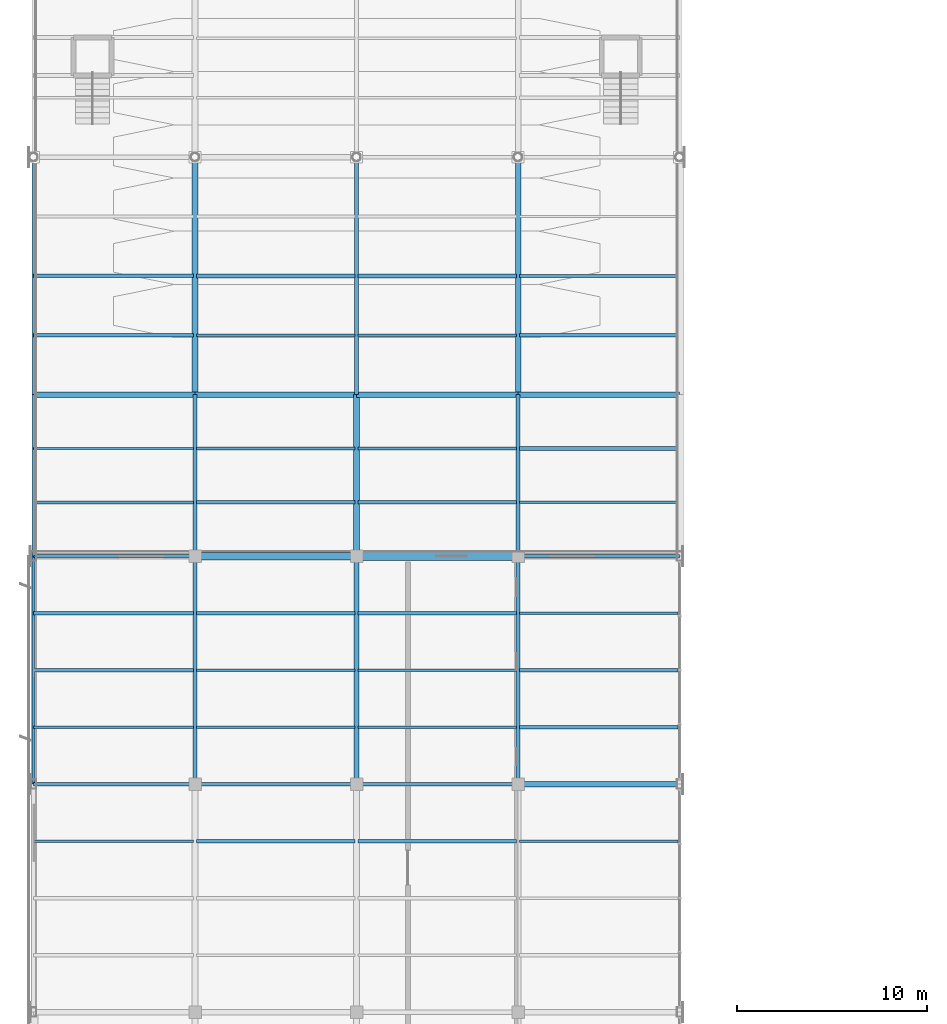
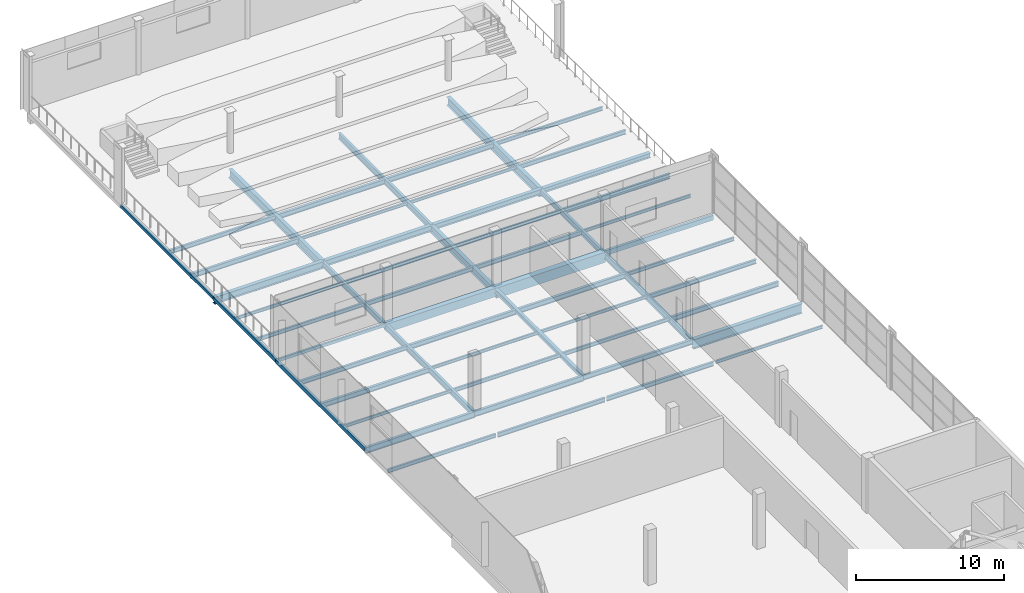
# One storey, part 48 of 86: 56 beams.
"""IFC4 building model written with IfcOpenShell, lengths in metres."""

from ifc_helpers import new_model, si_unit, direction, frame, origin, origin_2d, place, context, subcontext, project, spatial, rectangle, hollow_rectangle, i_section, extrude, material, material_profile, profile_set, type_object, element, save


model = new_model("IFC4")

# Units and contexts
model_context = context("Model", 3, precision=1e-05, world=origin(), true_north=direction((0.0, 1.0)))
body_context = subcontext(model_context, "Body", "Model", "MODEL_VIEW")
ifc_project = project(units=[si_unit("LENGTHUNIT", "METRE"), si_unit("AREAUNIT", "SQUARE_METRE"), si_unit("VOLUMEUNIT", "CUBIC_METRE"), si_unit("PLANEANGLEUNIT", "RADIAN"), si_unit("MASSUNIT", "GRAM", prefix="KILO")], contexts=[model_context])

# Site, building, storey
site_placement = place(None, origin())
site = spatial("IfcSite", under=ifc_project, at=site_placement, CompositionType="ELEMENT")
building_placement = place(site_placement, origin())
building = spatial("IfcBuilding", under=site, at=building_placement, Name="Solvikara Media Centre", CompositionType="ELEMENT")
storey_placement = place(building_placement, frame((0.0, 0.0, 15.0)))
storey = spatial("IfcBuildingStorey", under=building, at=storey_placement, Name="L03", CompositionType="ELEMENT", Elevation=15.0)

# Beams
ifc_material_1 = material(Name="Concrete fc' 35 MPa (C35/45)", Category="concrete")
ifc_material_profile_1 = material_profile(ifc_material_1, rectangle(XDim=0.39990234375, YDim=0.699951171875, at=origin_2d()), Name="RC 400x700")
ifc_profile_set_1 = profile_set([ifc_material_profile_1], Name="Concrete fc' 35 MPa (C35/45)")
beam_type_1 = type_object("IfcBeamType", Name="BM-13", PredefinedType="SPANDREL", material=ifc_profile_set_1)
beam_1_placement = place(storey_placement, frame((8.5, 80.5, -0.610107421875), z_axis=(1.0, 0.0, 0.0), x_axis=(0.0, 1.0, 0.0)))
element("IfcBeam", 1, at=beam_1_placement, inside=storey, type_object=beam_type_1, Name="B-L03-X1207", PredefinedType="SPANDREL", context=body_context, shape_type="SweptSolid", body=[
    extrude(rectangle(XDim=0.39990234375, YDim=0.699951171875, at=origin_2d()), origin(), (0.0, 0.0, 1.0), 8.5),
])
ifc_material_profile_2 = material_profile(ifc_material_1, rectangle(XDim=0.449951171875, YDim=0.85009765625, at=origin_2d()), Name="RC 450x850")
ifc_profile_set_2 = profile_set([ifc_material_profile_2], Name="Concrete fc' 35 MPa (C35/45)")
beam_type_2 = type_object("IfcBeamType", Name="BM-14", PredefinedType="SPANDREL", material=ifc_profile_set_2)
beam_2_placement = place(storey_placement, frame((17.0, 80.5, -0.68505859375), z_axis=(1.0, 0.0, 0.0), x_axis=(0.0, 1.0, 0.0)))
element("IfcBeam", 2, at=beam_2_placement, inside=storey, type_object=beam_type_2, Name="B-L03-X1208", PredefinedType="SPANDREL", context=body_context, shape_type="SweptSolid", body=[
    extrude(rectangle(XDim=0.449951171875, YDim=0.85009765625, at=origin_2d()), origin(), (0.0, 0.0, 1.0), 8.5),
])
ifc_material_2 = material(Name="Steel S355JR", Category="steel")
ifc_material_profile_3 = material_profile(ifc_material_2, i_section(OverallWidth=0.300048828125, OverallDepth=0.800048828125, WebThickness=0.013916015625, FlangeThickness=0.02587890625, at=origin_2d()), Name="WF 800x300x14x26")
ifc_profile_set_3 = profile_set([ifc_material_profile_3], Name="Steel S355JR")
beam_type_3 = type_object("IfcBeamType", Name="BM-16", PredefinedType="BEAM", material=ifc_profile_set_3)
beam_3_placement = place(storey_placement, frame((25.5, 68.5, -0.662109375), z_axis=(1.0, 0.0, 0.0), x_axis=(0.0, 1.0, 0.0)))
element("IfcBeam", 3, at=beam_3_placement, inside=storey, type_object=beam_type_3, Name="B-L03-X1205", PredefinedType="BEAM", context=body_context, shape_type="SweptSolid", body=[
    extrude(i_section(OverallWidth=0.300048828125, OverallDepth=0.800048828125, WebThickness=0.013916015625, FlangeThickness=0.02587890625, at=origin_2d()), origin(), (0.0, 0.0, 1.0), 8.5),
])
ifc_material_profile_4 = material_profile(ifc_material_2, i_section(OverallWidth=0.199951171875, OverallDepth=0.5, WebThickness=0.010009765625, FlangeThickness=0.01611328125, at=origin_2d()), Name="WF 500x200x10x16")
ifc_profile_set_4 = profile_set([ifc_material_profile_4], Name="Steel S355JR")
beam_type_4 = type_object("IfcBeamType", Name="BM-19", PredefinedType="BEAM", material=ifc_profile_set_4)
for number, where, z_axis, x_axis, name in (
    (4, (8.5, 68.5, -0.511962890625), (0.0, 1.0, 0.0), (-1.0, 0.0, 0.0), "B-L03-Y1235"),
    (5, (25.5, 68.5, -0.511962890625), (0.0, 1.0, 0.0), (-1.0, 0.0, 0.0), "B-L03-Y1249"),
):
    element("IfcBeam", number, at=place(storey_placement, frame(where, z_axis=z_axis, x_axis=x_axis)), inside=storey, type_object=beam_type_4, Name=name, PredefinedType="BEAM", context=body_context, shape_type="SweptSolid", body=[
        extrude(i_section(OverallWidth=0.199951171875, OverallDepth=0.5, WebThickness=0.010009765625, FlangeThickness=0.01611328125, at=origin_2d()), origin(), (0.0, 0.0, 1.0), 12.0),
    ])
ifc_material_profile_5 = material_profile(ifc_material_2, i_section(OverallWidth=0.199951171875, OverallDepth=0.449951171875, WebThickness=0.009033203125, FlangeThickness=0.013916015625, at=origin_2d()), Name="WF 450x200x9x14")
ifc_profile_set_5 = profile_set([ifc_material_profile_5], Name="Steel S355JR")
beam_type_5 = type_object("IfcBeamType", Name="BM-20", PredefinedType="BEAM", material=ifc_profile_set_5)
for number, where, z_axis, x_axis, name in (
    (6, (8.5, 80.5, -0.4970703125), (0.0, 1.0, 0.0), (-1.0, 0.0, 0.0), "B-L03-Y1236"),
    (7, (25.5, 80.5, -0.4970703125), (0.0, 1.0, 0.0), (-1.0, 0.0, 0.0), "B-L03-Y1250"),
):
    element("IfcBeam", number, at=place(storey_placement, frame(where, z_axis=z_axis, x_axis=x_axis)), inside=storey, type_object=beam_type_5, Name=name, PredefinedType="BEAM", context=body_context, shape_type="SweptSolid", body=[
        extrude(i_section(OverallWidth=0.199951171875, OverallDepth=0.449951171875, WebThickness=0.009033203125, FlangeThickness=0.013916015625, at=origin_2d()), origin(), (0.0, 0.0, 1.0), 8.5),
    ])
ifc_material_profile_6 = material_profile(ifc_material_2, i_section(OverallWidth=0.199951171875, OverallDepth=0.39990234375, WebThickness=0.008056640625, FlangeThickness=0.012939453125, at=origin_2d()), Name="WF 400x200x8x13")
ifc_profile_set_6 = profile_set([ifc_material_profile_6], Name="Steel S355JR")
beam_type_6 = type_object("IfcBeamType", Name="BM-21", PredefinedType="JOIST", material=ifc_profile_set_6)
beam_4_placement = place(storey_placement, frame((0.0, 74.5, -0.4619140625), z_axis=(1.0, 0.0, 0.0), x_axis=(0.0, 1.0, 0.0)))
element("IfcBeam", 8, at=beam_4_placement, inside=storey, type_object=beam_type_6, Name="J-L03-1313", PredefinedType="JOIST", context=body_context, shape_type="SweptSolid", body=[
    extrude(i_section(OverallWidth=0.199951171875, OverallDepth=0.39990234375, WebThickness=0.008056640625, FlangeThickness=0.012939453125, at=origin_2d()), origin(), (0.0, 0.0, 1.0), 8.422119140625),
])
for number, where, z_axis, x_axis, name in (
    (9, (8.577880859375, 95.25, -0.471923828125), (1.0, 0.0, 0.0), (0.0, 1.0, 0.0), "J-L03-1337"),
    (10, (17.077880859375, 77.5, -0.4619140625), (1.0, 0.0, 0.0), (0.0, 1.0, 0.0), "J-L03-1353"),
    (11, (25.577880859375, 86.1669921875, -0.471923828125), (1.0, 0.0, 0.0), (0.0, 1.0, 0.0), "J-L03-1369"),
):
    element("IfcBeam", number, at=place(storey_placement, frame(where, z_axis=z_axis, x_axis=x_axis)), inside=storey, type_object=beam_type_6, Name=name, PredefinedType="JOIST", context=body_context, shape_type="SweptSolid", body=[
        extrude(i_section(OverallWidth=0.199951171875, OverallDepth=0.39990234375, WebThickness=0.008056640625, FlangeThickness=0.012939453125, at=origin_2d()), origin(), (0.0, 0.0, 1.0), 8.34423828125),
    ])
ifc_material_profile_7 = material_profile(ifc_material_2, i_section(OverallWidth=0.175048828125, OverallDepth=0.35009765625, WebThickness=0.007080078125, FlangeThickness=0.010986328125, at=origin_2d()), Name="WF 350x175x7x11")
ifc_profile_set_7 = profile_set([ifc_material_profile_7], Name="Steel S355JR")
beam_type_7 = type_object("IfcBeamType", Name="BM-22", PredefinedType="JOIST", material=ifc_profile_set_7)
beam_5_placement = place(storey_placement, frame((0.0, 77.5, -0.43701171875), z_axis=(1.0, 0.0, 0.0), x_axis=(0.0, 1.0, 0.0)))
element("IfcBeam", 12, at=beam_5_placement, inside=storey, type_object=beam_type_7, Name="J-L03-1314", PredefinedType="JOIST", context=body_context, shape_type="SweptSolid", body=[
    extrude(i_section(OverallWidth=0.175048828125, OverallDepth=0.35009765625, WebThickness=0.007080078125, FlangeThickness=0.010986328125, at=origin_2d()), origin(), (0.0, 0.0, 1.0), 8.422119140625),
])
for number, where, z_axis, x_axis, name in (
    (13, (8.577880859375, 65.5, -0.43701171875), (1.0, 0.0, 0.0), (0.0, 1.0, 0.0), "J-L03-1330"),
    (14, (17.077880859375, 83.3330078125, -0.447021484375), (1.0, 0.0, 0.0), (0.0, 1.0, 0.0), "J-L03-1354"),
    (15, (25.577880859375, 92.125, -0.447021484375), (1.0, 0.0, 0.0), (0.0, 1.0, 0.0), "J-L03-1370"),
):
    element("IfcBeam", number, at=place(storey_placement, frame(where, z_axis=z_axis, x_axis=x_axis)), inside=storey, type_object=beam_type_7, Name=name, PredefinedType="JOIST", context=body_context, shape_type="SweptSolid", body=[
        extrude(i_section(OverallWidth=0.175048828125, OverallDepth=0.35009765625, WebThickness=0.007080078125, FlangeThickness=0.010986328125, at=origin_2d()), origin(), (0.0, 0.0, 1.0), 8.34423828125),
    ])
ifc_material_profile_8 = material_profile(ifc_material_2, i_section(OverallWidth=0.14990234375, OverallDepth=0.300048828125, WebThickness=0.006591796875, FlangeThickness=0.009033203125, at=origin_2d()), Name="WF 300x150x6.5x9")
ifc_profile_set_8 = profile_set([ifc_material_profile_8], Name="Steel S355JR")
beam_type_8 = type_object("IfcBeamType", Name="BM-23", PredefinedType="JOIST", material=ifc_profile_set_8)
beam_6_placement = place(storey_placement, frame((0.0, 83.3330078125, -0.422119140625), z_axis=(1.0, 0.0, 0.0), x_axis=(0.0, 1.0, 0.0)))
element("IfcBeam", 16, at=beam_6_placement, inside=storey, type_object=beam_type_8, Name="J-L03-1315", PredefinedType="JOIST", context=body_context, shape_type="SweptSolid", body=[
    extrude(i_section(OverallWidth=0.14990234375, OverallDepth=0.300048828125, WebThickness=0.006591796875, FlangeThickness=0.009033203125, at=origin_2d()), origin(), (0.0, 0.0, 1.0), 8.422119140625),
])
for number, where, z_axis, x_axis, name in (
    (17, (8.577880859375, 71.5, -0.412109375), (1.0, 0.0, 0.0), (0.0, 1.0, 0.0), "J-L03-1331"),
    (18, (17.077880859375, 86.1669921875, -0.422119140625), (1.0, 0.0, 0.0), (0.0, 1.0, 0.0), "J-L03-1355"),
    (19, (25.577880859375, 95.25, -0.422119140625), (1.0, 0.0, 0.0), (0.0, 1.0, 0.0), "J-L03-1371"),
):
    element("IfcBeam", number, at=place(storey_placement, frame(where, z_axis=z_axis, x_axis=x_axis)), inside=storey, type_object=beam_type_8, Name=name, PredefinedType="JOIST", context=body_context, shape_type="SweptSolid", body=[
        extrude(i_section(OverallWidth=0.14990234375, OverallDepth=0.300048828125, WebThickness=0.006591796875, FlangeThickness=0.009033203125, at=origin_2d()), origin(), (0.0, 0.0, 1.0), 8.34423828125),
    ])
ifc_material_profile_9 = material_profile(ifc_material_2, i_section(OverallWidth=0.125, OverallDepth=0.25, WebThickness=0.006103515625, FlangeThickness=0.009033203125, at=origin_2d()), Name="WF 250x125x6x9")
ifc_profile_set_9 = profile_set([ifc_material_profile_9], Name="Steel S355JR")
beam_type_9 = type_object("IfcBeamType", Name="BM-24", PredefinedType="JOIST", material=ifc_profile_set_9)
beam_7_placement = place(storey_placement, frame((0.0, 86.1669921875, -0.39697265625), z_axis=(1.0, 0.0, 0.0), x_axis=(0.0, 1.0, 0.0)))
element("IfcBeam", 20, at=beam_7_placement, inside=storey, type_object=beam_type_9, Name="J-L03-1316", PredefinedType="JOIST", context=body_context, shape_type="SweptSolid", body=[
    extrude(i_section(OverallWidth=0.125, OverallDepth=0.25, WebThickness=0.006103515625, FlangeThickness=0.009033203125, at=origin_2d()), origin(), (0.0, 0.0, 1.0), 8.422119140625),
])
for number, where, z_axis, x_axis, name in (
    (21, (8.577880859375, 74.5, -0.386962890625), (1.0, 0.0, 0.0), (0.0, 1.0, 0.0), "J-L03-1332"),
    (22, (17.077880859375, 92.125, -0.39697265625), (1.0, 0.0, 0.0), (0.0, 1.0, 0.0), "J-L03-1356"),
    (23, (25.577880859375, 65.5, -0.386962890625), (1.0, 0.0, 0.0), (0.0, 1.0, 0.0), "J-L03-1364"),
):
    element("IfcBeam", number, at=place(storey_placement, frame(where, z_axis=z_axis, x_axis=x_axis)), inside=storey, type_object=beam_type_9, Name=name, PredefinedType="JOIST", context=body_context, shape_type="SweptSolid", body=[
        extrude(i_section(OverallWidth=0.125, OverallDepth=0.25, WebThickness=0.006103515625, FlangeThickness=0.009033203125, at=origin_2d()), origin(), (0.0, 0.0, 1.0), 8.34423828125),
    ])
ifc_material_profile_10 = material_profile(ifc_material_2, i_section(OverallWidth=0.300048828125, OverallDepth=0.69189453125, WebThickness=0.012939453125, FlangeThickness=0.02001953125, at=origin_2d()), Name="H 692x300x13x20")
ifc_profile_set_10 = profile_set([ifc_material_profile_10], Name="Steel S355JR")
beam_type_10 = type_object("IfcBeamType", Name="BM-25", PredefinedType="BEAM", material=ifc_profile_set_10)
for number, where, z_axis, x_axis, name in (
    (24, (8.5, 89.0, -0.617919921875), (0.0, 1.0, 0.0), (-1.0, 0.0, 0.0), "B-L03-Y1237"),
    (25, (25.5, 89.0, -0.617919921875), (0.0, 1.0, 0.0), (-1.0, 0.0, 0.0), "B-L03-Y1251"),
):
    element("IfcBeam", number, at=place(storey_placement, frame(where, z_axis=z_axis, x_axis=x_axis)), inside=storey, type_object=beam_type_10, Name=name, PredefinedType="BEAM", context=body_context, shape_type="SweptSolid", body=[
        extrude(i_section(OverallWidth=0.300048828125, OverallDepth=0.69189453125, WebThickness=0.012939453125, FlangeThickness=0.02001953125, at=origin_2d()), origin(), (0.0, 0.0, 1.0), 12.5),
    ])
ifc_material_profile_11 = material_profile(ifc_material_2, i_section(OverallWidth=0.300048828125, OverallDepth=0.587890625, WebThickness=0.011962890625, FlangeThickness=0.02001953125, at=origin_2d()), Name="H 588x300x12x20")
ifc_profile_set_11 = profile_set([ifc_material_profile_11], Name="Steel S355JR")
beam_type_11 = type_object("IfcBeamType", Name="BM-26", PredefinedType="BEAM", material=ifc_profile_set_11)
beam_8_placement = place(storey_placement, frame((0.0, 89.0, -0.56591796875), z_axis=(1.0, 0.0, 0.0), x_axis=(0.0, 1.0, 0.0)))
element("IfcBeam", 26, at=beam_8_placement, inside=storey, type_object=beam_type_11, Name="B-L03-X1210", PredefinedType="BEAM", context=body_context, shape_type="SweptSolid", body=[
    extrude(i_section(OverallWidth=0.300048828125, OverallDepth=0.587890625, WebThickness=0.011962890625, FlangeThickness=0.02001953125, at=origin_2d()), origin(), (0.0, 0.0, 1.0), 8.5),
])
ifc_material_profile_12 = material_profile(ifc_material_2, i_section(OverallWidth=0.300048828125, OverallDepth=0.488037109375, WebThickness=0.010986328125, FlangeThickness=0.01806640625, at=origin_2d()), Name="H 488x300x11x18")
ifc_profile_set_12 = profile_set([ifc_material_profile_12], Name="Steel S355JR")
beam_type_12 = type_object("IfcBeamType", Name="BM-27", PredefinedType="BEAM", material=ifc_profile_set_12)
beam_9_placement = place(storey_placement, frame((8.5, 89.0, -0.51611328125), z_axis=(1.0, 0.0, 0.0), x_axis=(0.0, 1.0, 0.0)))
element("IfcBeam", 27, at=beam_9_placement, inside=storey, type_object=beam_type_12, Name="B-L03-X1211", PredefinedType="BEAM", context=body_context, shape_type="SweptSolid", body=[
    extrude(i_section(OverallWidth=0.300048828125, OverallDepth=0.488037109375, WebThickness=0.010986328125, FlangeThickness=0.01806640625, at=origin_2d()), origin(), (0.0, 0.0, 1.0), 8.5),
])
ifc_material_profile_13 = material_profile(ifc_material_2, i_section(OverallWidth=0.300048828125, OverallDepth=0.43994140625, WebThickness=0.010986328125, FlangeThickness=0.01806640625, at=origin_2d()), Name="H 440x300x11x18")
ifc_profile_set_13 = profile_set([ifc_material_profile_13], Name="Steel S355JR")
beam_type_13 = type_object("IfcBeamType", Name="BM-28", PredefinedType="BEAM", material=ifc_profile_set_13)
beam_10_placement = place(storey_placement, frame((17.0, 89.0, -0.491943359375), z_axis=(1.0, 0.0, 0.0), x_axis=(0.0, 1.0, 0.0)))
element("IfcBeam", 28, at=beam_10_placement, inside=storey, type_object=beam_type_13, Name="B-L03-X1212", PredefinedType="BEAM", context=body_context, shape_type="SweptSolid", body=[
    extrude(i_section(OverallWidth=0.300048828125, OverallDepth=0.43994140625, WebThickness=0.010986328125, FlangeThickness=0.01806640625, at=origin_2d()), origin(), (0.0, 0.0, 1.0), 8.5),
])
ifc_material_profile_14 = material_profile(ifc_material_2, i_section(OverallWidth=0.300048828125, OverallDepth=0.389892578125, WebThickness=0.010009765625, FlangeThickness=0.01611328125, at=origin_2d()), Name="H 390x300x10x16")
ifc_profile_set_14 = profile_set([ifc_material_profile_14], Name="Steel S355JR")
beam_type_14 = type_object("IfcBeamType", Name="BM-29", PredefinedType="BEAM", material=ifc_profile_set_14)
beam_11_placement = place(storey_placement, frame((25.5, 89.0, -0.467041015625), z_axis=(1.0, 0.0, 0.0), x_axis=(0.0, 1.0, 0.0)))
element("IfcBeam", 29, at=beam_11_placement, inside=storey, type_object=beam_type_14, Name="B-L03-X1213", PredefinedType="BEAM", context=body_context, shape_type="SweptSolid", body=[
    extrude(i_section(OverallWidth=0.300048828125, OverallDepth=0.389892578125, WebThickness=0.010009765625, FlangeThickness=0.01611328125, at=origin_2d()), origin(), (0.0, 0.0, 1.0), 8.5),
])
ifc_material_profile_15 = material_profile(ifc_material_2, i_section(OverallWidth=0.25, OverallDepth=0.340087890625, WebThickness=0.009033203125, FlangeThickness=0.013916015625, at=origin_2d()), Name="H 340x250x9x14")
ifc_profile_set_15 = profile_set([ifc_material_profile_15], Name="Steel S355JR")
beam_type_15 = type_object("IfcBeamType", Name="BM-30", PredefinedType="BEAM", material=ifc_profile_set_15)
beam_12_placement = place(storey_placement, frame((17.0, 68.5, -0.431884765625), z_axis=(0.0, 1.0, 0.0), x_axis=(-1.0, 0.0, 0.0)))
element("IfcBeam", 30, at=beam_12_placement, inside=storey, type_object=beam_type_15, Name="B-L03-Y1242", PredefinedType="BEAM", context=body_context, shape_type="SweptSolid", body=[
    extrude(i_section(OverallWidth=0.25, OverallDepth=0.340087890625, WebThickness=0.009033203125, FlangeThickness=0.013916015625, at=origin_2d()), origin(), (0.0, 0.0, 1.0), 12.0),
])
ifc_material_profile_16 = material_profile(ifc_material_2, hollow_rectangle(XDim=0.199951171875, YDim=0.39990234375, WallThickness=0.011962890625, at=origin_2d()), Name="RHS 400x200x12")
ifc_profile_set_16 = profile_set([ifc_material_profile_16], Name="Steel S355JR")
beam_type_16 = type_object("IfcBeamType", Name="BM-33", PredefinedType="SPANDREL", material=ifc_profile_set_16)
beam_13_placement = place(storey_placement, frame((25.5, 80.5, -0.471923828125), z_axis=(1.0, 0.0, 0.0), x_axis=(0.0, 1.0, 0.0)))
element("IfcBeam", 31, at=beam_13_placement, inside=storey, type_object=beam_type_16, Name="B-L03-X1209", PredefinedType="SPANDREL", context=body_context, shape_type="SweptSolid", body=[
    extrude(hollow_rectangle(XDim=0.199951171875, YDim=0.39990234375, WallThickness=0.011962890625, at=origin_2d()), origin(), (0.0, 0.0, 1.0), 8.5),
])
ifc_material_profile_17 = material_profile(ifc_material_2, hollow_rectangle(XDim=0.175048828125, YDim=0.35009765625, WallThickness=0.010009765625, at=origin_2d()), Name="RHS 350x175x10")
ifc_profile_set_17 = profile_set([ifc_material_profile_17], Name="Steel S355JR")
beam_type_17 = type_object("IfcBeamType", Name="BM-34", PredefinedType="SPANDREL", material=ifc_profile_set_17)
beam_14_placement = place(storey_placement, frame((0.0, 68.5, -0.43701171875), z_axis=(0.0, 1.0, 0.0), x_axis=(-1.0, 0.0, 0.0)))
element("IfcBeam", 32, at=beam_14_placement, inside=storey, type_object=beam_type_17, Name="B-L03-Y1228", PredefinedType="SPANDREL", context=body_context, shape_type="SweptSolid", body=[
    extrude(hollow_rectangle(XDim=0.175048828125, YDim=0.35009765625, WallThickness=0.010009765625, at=origin_2d()), origin(), (0.0, 0.0, 1.0), 12.0),
])
ifc_material_profile_18 = material_profile(ifc_material_2, hollow_rectangle(XDim=0.14990234375, YDim=0.300048828125, WallThickness=0.010009765625, at=origin_2d()), Name="RHS 300x150x10")
ifc_profile_set_18 = profile_set([ifc_material_profile_18], Name="Steel S355JR")
beam_type_18 = type_object("IfcBeamType", Name="BM-35", PredefinedType="BEAM", material=ifc_profile_set_18)
beam_15_placement = place(storey_placement, frame((0.0, 80.5, -0.422119140625), z_axis=(0.0, 1.0, 0.0), x_axis=(-1.0, 0.0, 0.0)))
element("IfcBeam", 33, at=beam_15_placement, inside=storey, type_object=beam_type_18, Name="B-L03-Y1229", PredefinedType="BEAM", context=body_context, shape_type="SweptSolid", body=[
    extrude(hollow_rectangle(XDim=0.14990234375, YDim=0.300048828125, WallThickness=0.010009765625, at=origin_2d()), origin(), (0.0, 0.0, 1.0), 8.5),
])
ifc_material_profile_19 = material_profile(ifc_material_2, hollow_rectangle(XDim=0.14990234375, YDim=0.25, WallThickness=0.008056640625, at=origin_2d()), Name="RHS 250x150x8")
ifc_profile_set_19 = profile_set([ifc_material_profile_19], Name="Steel S355JR")
beam_type_19 = type_object("IfcBeamType", Name="BM-36", PredefinedType="JOIST", material=ifc_profile_set_19)
beam_16_placement = place(storey_placement, frame((0.0, 80.5, -0.39697265625), z_axis=(1.0, 0.0, 0.0), x_axis=(0.0, 1.0, 0.0)))
element("IfcBeam", 34, at=beam_16_placement, inside=storey, type_object=beam_type_19, Name="B-L03-X1206", PredefinedType="JOIST", context=body_context, shape_type="SweptSolid", body=[
    extrude(hollow_rectangle(XDim=0.14990234375, YDim=0.25, WallThickness=0.008056640625, at=origin_2d()), origin(), (0.0, 0.0, 1.0), 8.5),
])
beam_17_placement = place(storey_placement, frame((0.0, 89.0, -0.39697265625), z_axis=(0.0, 1.0, 0.0), x_axis=(-1.0, 0.0, 0.0)))
element("IfcBeam", 35, at=beam_17_placement, inside=storey, type_object=beam_type_19, Name="B-L03-Y1230", PredefinedType="JOIST", context=body_context, shape_type="SweptSolid", body=[
    extrude(hollow_rectangle(XDim=0.14990234375, YDim=0.25, WallThickness=0.008056640625, at=origin_2d()), origin(), (0.0, 0.0, 1.0), 12.5),
])
ifc_material_profile_20 = material_profile(ifc_material_2, i_section(OverallWidth=0.198974609375, OverallDepth=0.39599609375, WebThickness=0.007080078125, FlangeThickness=0.010986328125, at=origin_2d()), Name="WF 396x199x7x11")
ifc_profile_set_20 = profile_set([ifc_material_profile_20], Name="Steel S355JR")
beam_type_20 = type_object("IfcBeamType", Name="BM-37", PredefinedType="JOIST", material=ifc_profile_set_20)
beam_18_placement = place(storey_placement, frame((0.0, 92.125, -0.469970703125), z_axis=(1.0, 0.0, 0.0), x_axis=(0.0, 1.0, 0.0)))
element("IfcBeam", 36, at=beam_18_placement, inside=storey, type_object=beam_type_20, Name="J-L03-1317", PredefinedType="JOIST", context=body_context, shape_type="SweptSolid", body=[
    extrude(i_section(OverallWidth=0.198974609375, OverallDepth=0.39599609375, WebThickness=0.007080078125, FlangeThickness=0.010986328125, at=origin_2d()), origin(), (0.0, 0.0, 1.0), 8.422119140625),
])
for number, where, z_axis, x_axis, name in (
    (37, (8.577880859375, 77.5, -0.4599609375), (1.0, 0.0, 0.0), (0.0, 1.0, 0.0), "J-L03-1333"),
    (38, (17.077880859375, 95.25, -0.469970703125), (1.0, 0.0, 0.0), (0.0, 1.0, 0.0), "J-L03-1357"),
    (39, (25.577880859375, 71.5, -0.4599609375), (1.0, 0.0, 0.0), (0.0, 1.0, 0.0), "J-L03-1365"),
):
    element("IfcBeam", number, at=place(storey_placement, frame(where, z_axis=z_axis, x_axis=x_axis)), inside=storey, type_object=beam_type_20, Name=name, PredefinedType="JOIST", context=body_context, shape_type="SweptSolid", body=[
        extrude(i_section(OverallWidth=0.198974609375, OverallDepth=0.39599609375, WebThickness=0.007080078125, FlangeThickness=0.010986328125, at=origin_2d()), origin(), (0.0, 0.0, 1.0), 8.34423828125),
    ])
ifc_material_profile_21 = material_profile(ifc_material_2, i_section(OverallWidth=0.174072265625, OverallDepth=0.345947265625, WebThickness=0.006103515625, FlangeThickness=0.009033203125, at=origin_2d()), Name="WF 346x174x6x9")
ifc_profile_set_21 = profile_set([ifc_material_profile_21], Name="Steel S355JR")
beam_type_21 = type_object("IfcBeamType", Name="BM-38", PredefinedType="JOIST", material=ifc_profile_set_21)
beam_19_placement = place(storey_placement, frame((0.0, 95.25, -0.445068359375), z_axis=(1.0, 0.0, 0.0), x_axis=(0.0, 1.0, 0.0)))
element("IfcBeam", 40, at=beam_19_placement, inside=storey, type_object=beam_type_21, Name="J-L03-1318", PredefinedType="JOIST", context=body_context, shape_type="SweptSolid", body=[
    extrude(i_section(OverallWidth=0.174072265625, OverallDepth=0.345947265625, WebThickness=0.006103515625, FlangeThickness=0.009033203125, at=origin_2d()), origin(), (0.0, 0.0, 1.0), 8.422119140625),
])
for number, where, z_axis, x_axis, name in (
    (41, (8.577880859375, 83.3330078125, -0.445068359375), (1.0, 0.0, 0.0), (0.0, 1.0, 0.0), "J-L03-1334"),
    (42, (17.077880859375, 65.5, -0.43505859375), (1.0, 0.0, 0.0), (0.0, 1.0, 0.0), "J-L03-1350"),
    (43, (25.577880859375, 74.5, -0.43505859375), (1.0, 0.0, 0.0), (0.0, 1.0, 0.0), "J-L03-1366"),
):
    element("IfcBeam", number, at=place(storey_placement, frame(where, z_axis=z_axis, x_axis=x_axis)), inside=storey, type_object=beam_type_21, Name=name, PredefinedType="JOIST", context=body_context, shape_type="SweptSolid", body=[
        extrude(i_section(OverallWidth=0.174072265625, OverallDepth=0.345947265625, WebThickness=0.006103515625, FlangeThickness=0.009033203125, at=origin_2d()), origin(), (0.0, 0.0, 1.0), 8.34423828125),
    ])
ifc_material_profile_22 = material_profile(ifc_material_2, i_section(OverallWidth=0.14892578125, OverallDepth=0.298095703125, WebThickness=0.005615234375, FlangeThickness=0.008056640625, at=origin_2d()), Name="WF 298x149x5.5x8")
ifc_profile_set_22 = profile_set([ifc_material_profile_22], Name="Steel S355JR")
beam_type_22 = type_object("IfcBeamType", Name="BM-39", PredefinedType="JOIST", material=ifc_profile_set_22)
beam_20_placement = place(storey_placement, frame((0.0, 65.5, -0.410888671875), z_axis=(1.0, 0.0, 0.0), x_axis=(0.0, 1.0, 0.0)))
element("IfcBeam", 44, at=beam_20_placement, inside=storey, type_object=beam_type_22, Name="J-L03-1311", PredefinedType="JOIST", context=body_context, shape_type="SweptSolid", body=[
    extrude(i_section(OverallWidth=0.14892578125, OverallDepth=0.298095703125, WebThickness=0.005615234375, FlangeThickness=0.008056640625, at=origin_2d()), origin(), (0.0, 0.0, 1.0), 8.422119140625),
])
for number, where, z_axis, x_axis, name in (
    (45, (8.577880859375, 86.1669921875, -0.4208984375), (1.0, 0.0, 0.0), (0.0, 1.0, 0.0), "J-L03-1335"),
    (46, (17.077880859375, 71.5, -0.410888671875), (1.0, 0.0, 0.0), (0.0, 1.0, 0.0), "J-L03-1351"),
    (47, (25.577880859375, 77.5, -0.410888671875), (1.0, 0.0, 0.0), (0.0, 1.0, 0.0), "J-L03-1367"),
):
    element("IfcBeam", number, at=place(storey_placement, frame(where, z_axis=z_axis, x_axis=x_axis)), inside=storey, type_object=beam_type_22, Name=name, PredefinedType="JOIST", context=body_context, shape_type="SweptSolid", body=[
        extrude(i_section(OverallWidth=0.14892578125, OverallDepth=0.298095703125, WebThickness=0.005615234375, FlangeThickness=0.008056640625, at=origin_2d()), origin(), (0.0, 0.0, 1.0), 8.34423828125),
    ])
ifc_material_profile_23 = material_profile(ifc_material_2, i_section(OverallWidth=0.1240234375, OverallDepth=0.248046875, WebThickness=0.0048828125, FlangeThickness=0.008056640625, at=origin_2d()), Name="WF 248x124x5x8")
ifc_profile_set_23 = profile_set([ifc_material_profile_23], Name="Steel S355JR")
beam_type_23 = type_object("IfcBeamType", Name="BM-40", PredefinedType="JOIST", material=ifc_profile_set_23)
beam_21_placement = place(storey_placement, frame((0.0, 71.5, -0.385986328125), z_axis=(1.0, 0.0, 0.0), x_axis=(0.0, 1.0, 0.0)))
element("IfcBeam", 48, at=beam_21_placement, inside=storey, type_object=beam_type_23, Name="J-L03-1312", PredefinedType="JOIST", context=body_context, shape_type="SweptSolid", body=[
    extrude(i_section(OverallWidth=0.1240234375, OverallDepth=0.248046875, WebThickness=0.0048828125, FlangeThickness=0.008056640625, at=origin_2d()), origin(), (0.0, 0.0, 1.0), 8.422119140625),
])
for number, where, z_axis, x_axis, name in (
    (49, (8.577880859375, 92.125, -0.39599609375), (1.0, 0.0, 0.0), (0.0, 1.0, 0.0), "J-L03-1336"),
    (50, (17.077880859375, 74.5, -0.385986328125), (1.0, 0.0, 0.0), (0.0, 1.0, 0.0), "J-L03-1352"),
    (51, (25.577880859375, 83.3330078125, -0.39599609375), (1.0, 0.0, 0.0), (0.0, 1.0, 0.0), "J-L03-1368"),
):
    element("IfcBeam", number, at=place(storey_placement, frame(where, z_axis=z_axis, x_axis=x_axis)), inside=storey, type_object=beam_type_23, Name=name, PredefinedType="JOIST", context=body_context, shape_type="SweptSolid", body=[
        extrude(i_section(OverallWidth=0.1240234375, OverallDepth=0.248046875, WebThickness=0.0048828125, FlangeThickness=0.008056640625, at=origin_2d()), origin(), (0.0, 0.0, 1.0), 8.34423828125),
    ])
ifc_material_profile_24 = material_profile(ifc_material_2, i_section(OverallWidth=0.302001953125, OverallDepth=0.593994140625, WebThickness=0.013916015625, FlangeThickness=0.02294921875, at=origin_2d()), Name="H 594x302x14x23")
ifc_profile_set_24 = profile_set([ifc_material_profile_24], Name="Steel S355JR")
beam_type_24 = type_object("IfcBeamType", Name="BM-41", PredefinedType="BEAM", material=ifc_profile_set_24)
beam_22_placement = place(storey_placement, frame((17.0, 80.5, -0.569091796875), z_axis=(0.0, 1.0, 0.0), x_axis=(-1.0, 0.0, 0.0)))
element("IfcBeam", 52, at=beam_22_placement, inside=storey, type_object=beam_type_24, Name="B-L03-Y1243", PredefinedType="BEAM", context=body_context, shape_type="SweptSolid", body=[
    extrude(i_section(OverallWidth=0.302001953125, OverallDepth=0.593994140625, WebThickness=0.013916015625, FlangeThickness=0.02294921875, at=origin_2d()), origin(), (0.0, 0.0, 1.0), 8.5),
])
ifc_material_profile_25 = material_profile(ifc_material_2, i_section(OverallWidth=0.198974609375, OverallDepth=0.49609375, WebThickness=0.009033203125, FlangeThickness=0.013916015625, at=origin_2d()), Name="H 496x199x9x14")
ifc_profile_set_25 = profile_set([ifc_material_profile_25], Name="Steel S355JR")
beam_type_25 = type_object("IfcBeamType", Name="BM-42", PredefinedType="BEAM", material=ifc_profile_set_25)
beam_23_placement = place(storey_placement, frame((0.0, 68.5, -0.510009765625), z_axis=(1.0, 0.0, 0.0), x_axis=(0.0, 1.0, 0.0)))
element("IfcBeam", 53, at=beam_23_placement, inside=storey, type_object=beam_type_25, Name="B-L03-X1202", PredefinedType="BEAM", context=body_context, shape_type="SweptSolid", body=[
    extrude(i_section(OverallWidth=0.198974609375, OverallDepth=0.49609375, WebThickness=0.009033203125, FlangeThickness=0.013916015625, at=origin_2d()), origin(), (0.0, 0.0, 1.0), 8.5),
])
beam_24_placement = place(storey_placement, frame((17.0, 89.0, -0.52001953125), z_axis=(0.0, 1.0, 0.0), x_axis=(-1.0, 0.0, 0.0)))
element("IfcBeam", 54, at=beam_24_placement, inside=storey, type_object=beam_type_25, Name="B-L03-Y1244", PredefinedType="BEAM", context=body_context, shape_type="SweptSolid", body=[
    extrude(i_section(OverallWidth=0.198974609375, OverallDepth=0.49609375, WebThickness=0.009033203125, FlangeThickness=0.013916015625, at=origin_2d()), origin(), (0.0, 0.0, 1.0), 12.5),
])
ifc_material_profile_26 = material_profile(ifc_material_2, i_section(OverallWidth=0.198974609375, OverallDepth=0.446044921875, WebThickness=0.008056640625, FlangeThickness=0.011962890625, at=origin_2d()), Name="H 446x199x8x12")
ifc_profile_set_26 = profile_set([ifc_material_profile_26], Name="Steel S355JR")
beam_type_26 = type_object("IfcBeamType", Name="BM-43", PredefinedType="BEAM", material=ifc_profile_set_26)
beam_25_placement = place(storey_placement, frame((8.5, 68.5, -0.485107421875), z_axis=(1.0, 0.0, 0.0), x_axis=(0.0, 1.0, 0.0)))
element("IfcBeam", 55, at=beam_25_placement, inside=storey, type_object=beam_type_26, Name="B-L03-X1203", PredefinedType="BEAM", context=body_context, shape_type="SweptSolid", body=[
    extrude(i_section(OverallWidth=0.198974609375, OverallDepth=0.446044921875, WebThickness=0.008056640625, FlangeThickness=0.011962890625, at=origin_2d()), origin(), (0.0, 0.0, 1.0), 8.5),
])
ifc_material_profile_27 = material_profile(ifc_material_2, i_section(OverallWidth=0.198974609375, OverallDepth=0.39599609375, WebThickness=0.007080078125, FlangeThickness=0.010986328125, at=origin_2d()), Name="H 396x199x7x11")
ifc_profile_set_27 = profile_set([ifc_material_profile_27], Name="Steel S355JR")
beam_type_27 = type_object("IfcBeamType", Name="BM-44", PredefinedType="BEAM", material=ifc_profile_set_27)
beam_26_placement = place(storey_placement, frame((17.0, 68.5, -0.4599609375), z_axis=(1.0, 0.0, 0.0), x_axis=(0.0, 1.0, 0.0)))
element("IfcBeam", 56, at=beam_26_placement, inside=storey, type_object=beam_type_27, Name="B-L03-X1204", PredefinedType="BEAM", context=body_context, shape_type="SweptSolid", body=[
    extrude(i_section(OverallWidth=0.198974609375, OverallDepth=0.39599609375, WebThickness=0.007080078125, FlangeThickness=0.010986328125, at=origin_2d()), origin(), (0.0, 0.0, 1.0), 8.5),
])

save(model, "model.ifc")
